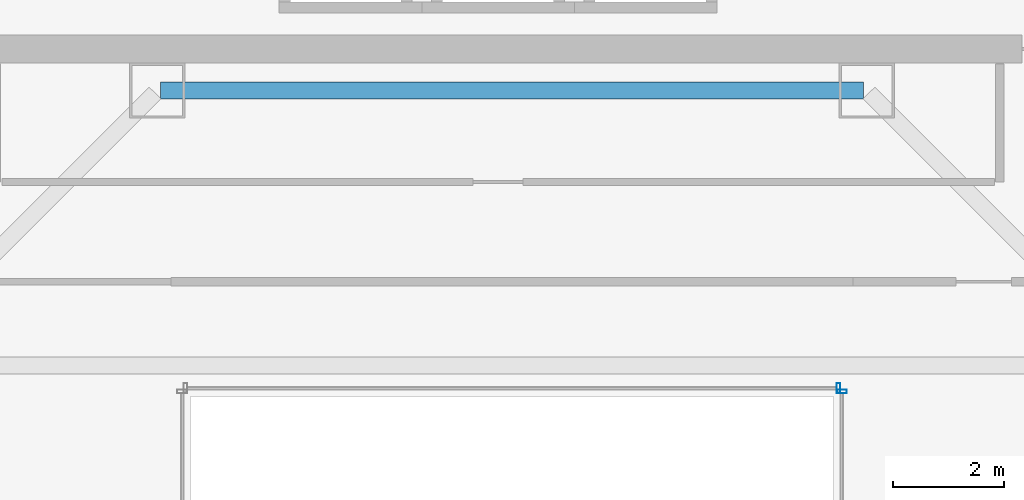
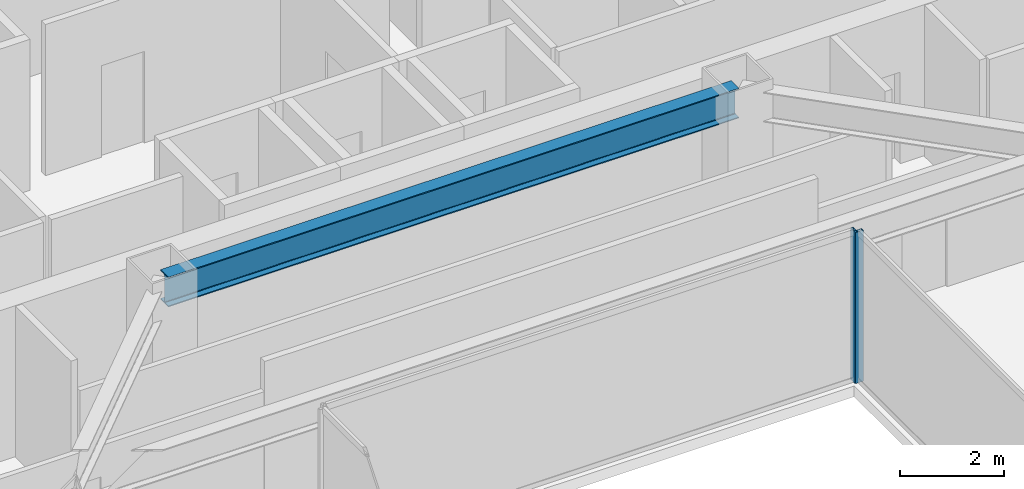
# One storey, part 13 of 36: 2 members, 1 beam, 2 elements without a shape of their own.
"""IFC4 building model written with IfcOpenShell, lengths in metres."""

from ifc_helpers import new_model, si_unit, direction, frame, origin, origin_2d, place, context, subcontext, project, spatial, hollow_rectangle, i_section, extrude, material, material_profile, profile_set, type_object, element, aggregate, save


model = new_model("IFC4")

# Units and contexts
model_context = context("Model", 3, precision=1e-05, world=origin(), true_north=direction((0.0, 1.0)))
body_context = subcontext(model_context, "Body", "Model", "MODEL_VIEW")
ifc_project = project(units=[si_unit("LENGTHUNIT", "METRE"), si_unit("AREAUNIT", "SQUARE_METRE"), si_unit("VOLUMEUNIT", "CUBIC_METRE"), si_unit("PLANEANGLEUNIT", "RADIAN"), si_unit("MASSUNIT", "GRAM", prefix="KILO")], contexts=[model_context])

# Site, building, storey
site_placement = place(None, origin())
site = spatial("IfcSite", under=ifc_project, at=site_placement, CompositionType="ELEMENT")
building_placement = place(site_placement, origin())
building = spatial("IfcBuilding", under=site, at=building_placement, Name="Saevonmaru Cultural Tower", CompositionType="ELEMENT")
storey_placement = place(building_placement, frame((0.0, 0.0, 171.39990234375)))
storey = spatial("IfcBuildingStorey", under=building, at=storey_placement, Name="L38", CompositionType="ELEMENT", Elevation=171.39990234375)

# Beam
ifc_material_1 = material(Name="Steel SM355", Category="steel")
ifc_material_profile_1 = material_profile(ifc_material_1, i_section(OverallWidth=0.300048828125, OverallDepth=0.699951171875, WebThickness=0.012939453125, FlangeThickness=0.02392578125, FilletRadius=0.02587890625, at=origin_2d()), Name="H-700x300x13x24")
ifc_profile_set_1 = profile_set([ifc_material_profile_1], Name="Steel SM355")
beam_type = type_object("IfcBeamType", Name="BM-G-H700", PredefinedType="BEAM", material=ifc_profile_set_1)
beam_placement = place(storey_placement, frame((23.659912109375, 42.39990234375, 3.2001953125), z_axis=(1.0, 0.0, 0.0), x_axis=(0.0, 1.0, 0.0)))
element("IfcBeam", 1, at=beam_placement, inside=storey, type_object=beam_type, Name="L38 Core South Girder 3", PredefinedType="BEAM", context=body_context, shape_type="SweptSolid", body=[
    extrude(i_section(OverallWidth=0.300048828125, OverallDepth=0.699951171875, WebThickness=0.012939453125, FlangeThickness=0.02392578125, FilletRadius=0.02587890625, at=origin_2d()), origin(), (0.0, 0.0, 1.0), 12.68017578125),
])

# Curtain wall, member
ifc_material_2 = material(Name="Satin Bronze Anodised Aluminium", Category="aluminium")
curtain_wall_type = type_object("IfcCurtainWallType", Name="CW-ATR-GLZ", PredefinedType="NOTDEFINED", material=ifc_material_2)
curtain_wall_1_placement = place(storey_placement, origin())
curtain_wall_1 = element("IfcCurtainWall", 2, at=curtain_wall_1_placement, inside=storey, type_object=curtain_wall_type, Name="L38 Vertical Atrium Glazed Smoke Screen 2", PredefinedType="NOTDEFINED")
ifc_material_profile_2 = material_profile(ifc_material_2, hollow_rectangle(XDim=0.06494140625, YDim=0.179931640625, WallThickness=0.00390625, at=origin_2d()), Name="ALU-MULL-180x65x4")
ifc_profile_set_2 = profile_set([ifc_material_profile_2], Name="Satin Bronze Anodised Aluminium")
member_type = type_object("IfcMemberType", Name="ML-CW-INT-180x65", PredefinedType="MULLION", material=ifc_profile_set_2)
member_1_placement = place(storey_placement, frame((35.949951171875, 36.969970703125, 0.0), z_axis=(0.0, 0.0, 1.0), x_axis=(0.0, 1.0, 0.0)))
member_1 = element("IfcMember", 3, at=member_1_placement, type_object=member_type, Name="CW-ATR-L38-2 mullion 2", PredefinedType="MULLION", context=body_context, shape_type="SweptSolid", body=[
    extrude(hollow_rectangle(XDim=0.06494140625, YDim=0.179931640625, WallThickness=0.00390625, at=origin_2d()), origin(), (0.0, 0.0, 1.0), 3.550048828125),
])
aggregate(curtain_wall_1, [member_1])

curtain_wall_2_placement = place(storey_placement, origin())
curtain_wall_2 = element("IfcCurtainWall", 4, at=curtain_wall_2_placement, inside=storey, type_object=curtain_wall_type, Name="L38 Vertical Atrium Glazed Smoke Screen 3", PredefinedType="NOTDEFINED")
member_2_placement = place(storey_placement, frame((35.889892578125, 37.030029296875, 0.0), z_axis=(0.0, 0.0, 1.0), x_axis=(-1.0, 0.0, 0.0)))
member_2 = element("IfcMember", 5, at=member_2_placement, type_object=member_type, Name="CW-ATR-L38-3 mullion 1", PredefinedType="MULLION", context=body_context, shape_type="SweptSolid", body=[
    extrude(hollow_rectangle(XDim=0.06494140625, YDim=0.179931640625, WallThickness=0.00390625, at=origin_2d()), origin(), (0.0, 0.0, 1.0), 3.550048828125),
])
aggregate(curtain_wall_2, [member_2])

save(model, "model.ifc")
